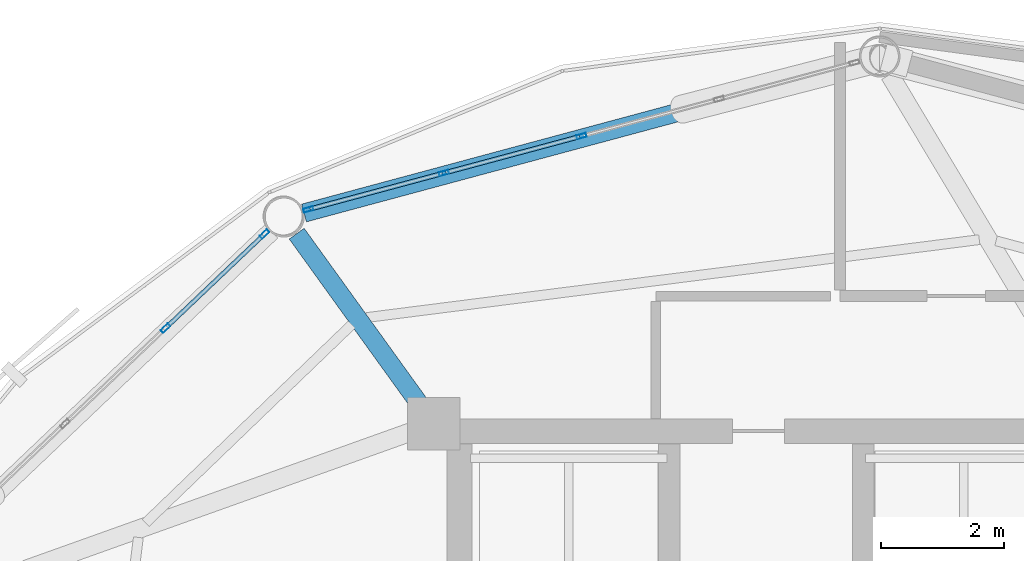
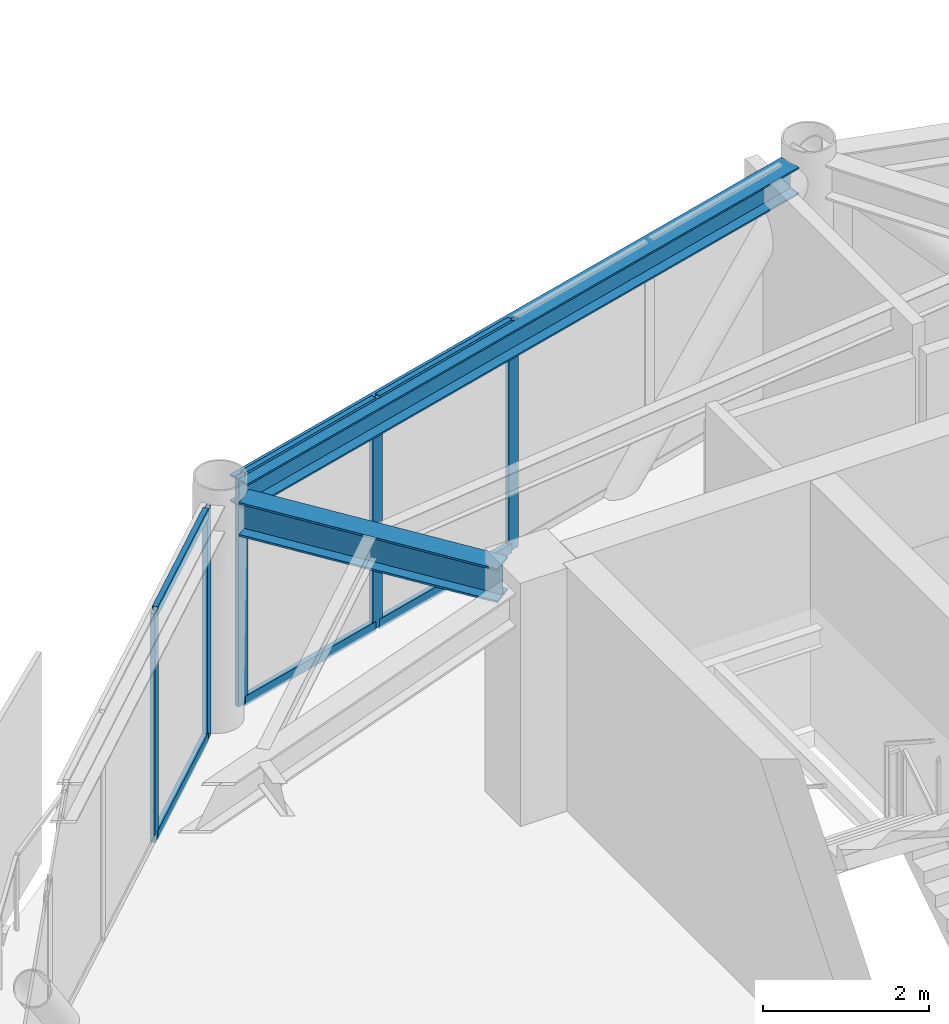
# One storey, part 19 of 29: 11 members, 2 beams, 2 elements without a shape of their own.
"""IFC4 building model written with IfcOpenShell, lengths in metres."""

from ifc_helpers import new_model, si_unit, direction, frame, origin, origin_2d, place, context, subcontext, project, spatial, hollow_rectangle, i_section, extrude, material, layer, layer_set, material_profile, profile_set, type_object, element, aggregate, save


model = new_model("IFC4")

# Units and contexts
model_context = context("Model", 3, precision=1e-05, world=origin(), true_north=direction((0.0, 1.0)))
body_context = subcontext(model_context, "Body", "Model", "MODEL_VIEW")
ifc_project = project(units=[si_unit("LENGTHUNIT", "METRE"), si_unit("AREAUNIT", "SQUARE_METRE"), si_unit("VOLUMEUNIT", "CUBIC_METRE"), si_unit("PLANEANGLEUNIT", "RADIAN"), si_unit("MASSUNIT", "GRAM", prefix="KILO")], contexts=[model_context])

# Site, building, storey
site_placement = place(None, origin())
site = spatial("IfcSite", under=ifc_project, at=site_placement, CompositionType="ELEMENT")
building_placement = place(site_placement, origin())
building = spatial("IfcBuilding", under=site, at=building_placement, Name="Varnakorn Sky Granary", CompositionType="ELEMENT")
storey_placement = place(building_placement, frame((0.0, 0.0, 189.60009765625)))
storey = spatial("IfcBuildingStorey", under=building, at=storey_placement, Name="L47", CompositionType="ELEMENT", Elevation=189.60009765625)

# Beams
ifc_material_1 = material(Name="Steel S355JR", Category="steel")
ifc_material_profile_1 = material_profile(ifc_material_1, i_section(OverallWidth=0.300048828125, OverallDepth=0.5, WebThickness=0.014404296875, FlangeThickness=0.028076171875, at=origin_2d()), Name="HE 500 B")
ifc_profile_set_1 = profile_set([ifc_material_profile_1], Name="Steel S355JR")
beam_type_1 = type_object("IfcBeamType", Name="BM-RAD-Z4", PredefinedType="BEAM", material=ifc_profile_set_1)
beam_1_placement = place(storey_placement, frame((-2.65673828125, 12.948486328125, 3.10986328125), z_axis=(-0.58471515882, 0.81123867206, 0.0), x_axis=(-0.81123867206, -0.58471515882, 0.0)))
element("IfcBeam", 1, at=beam_1_placement, inside=storey, type_object=beam_type_1, Name="Radial Floor Girder RG05 L47", PredefinedType="BEAM", context=body_context, shape_type="SweptSolid", body=[
    extrude(i_section(OverallWidth=0.300048828125, OverallDepth=0.5, WebThickness=0.014404296875, FlangeThickness=0.028076171875, at=origin_2d()), origin(), (0.0, 0.0, 1.0), 3.41552734375),
])
ifc_material_profile_2 = material_profile(ifc_material_1, i_section(OverallWidth=0.300048828125, OverallDepth=0.39990234375, WebThickness=0.013427734375, FlangeThickness=0.02392578125, at=origin_2d()), Name="HE 400 B")
ifc_profile_set_2 = profile_set([ifc_material_profile_2], Name="Steel S355JR")
beam_type_2 = type_object("IfcBeamType", Name="BM-SPD-Z4", PredefinedType="SPANDREL", material=ifc_profile_set_2)
beam_2_placement = place(storey_placement, frame((4.5458984375, 18.499267578125, 3.159912109375), z_axis=(-0.965659367077, -0.259811444662, 0.0), x_axis=(0.259811444662, -0.965659367077, 0.0)))
element("IfcBeam", 2, at=beam_2_placement, inside=storey, type_object=beam_type_2, Name="Perimeter Spandrel Ring Beam RB04 L47", PredefinedType="SPANDREL", context=body_context, shape_type="SweptSolid", body=[
    extrude(i_section(OverallWidth=0.300048828125, OverallDepth=0.39990234375, WebThickness=0.013427734375, FlangeThickness=0.02392578125, at=origin_2d()), origin(), (0.0, 0.0, 1.0), 9.402587890625),
])

# Curtain wall, members
ifc_material_2 = material(Name="Anodised Bronze Aluminium Alloy 6063-T6", Category="aluminium")
ifc_layer = layer(ifc_material_2, 0.169921875, Name="Anodised Bronze Aluminium Alloy 6063-T6")
ifc_layer_set = layer_set([ifc_layer], Name="Anodised Bronze Aluminium Alloy 6063-T6")
curtain_wall_type = type_object("IfcCurtainWallType", Name="CW-LAB-1", PredefinedType="USERDEFINED", material=ifc_layer_set)
curtain_wall_1_placement = place(storey_placement, origin())
curtain_wall_1 = element("IfcCurtainWall", 3, at=curtain_wall_1_placement, inside=storey, type_object=curtain_wall_type, Name="Unitised Curtain Wall CW5 CW-L47-B04", ObjectType="CURTAIN WALL", PredefinedType="USERDEFINED")
ifc_material_profile_3 = material_profile(ifc_material_2, hollow_rectangle(XDim=0.06494140625, YDim=0.159912109375, WallThickness=0.00341796875, at=origin_2d()), Name="ALU MULL 65x160")
ifc_profile_set_3 = profile_set([ifc_material_profile_3], Name="Anodised Bronze Aluminium Alloy 6063-T6")
member_type_1 = type_object("IfcMemberType", Name="CW-LAB-1-MULL", PredefinedType="MULLION", material=ifc_profile_set_3)
member_1_placement = place(storey_placement, frame((-4.4638671875, 16.11376953125, 0.0), z_axis=(0.0, 0.0, 1.0), x_axis=(-0.259358622753, 0.965781085342, 0.0)))
member_1 = element("IfcMember", 4, at=member_1_placement, type_object=member_type_1, Name="CW5 mullion 1", PredefinedType="MULLION", context=body_context, shape_type="SweptSolid", body=[
    extrude(hollow_rectangle(XDim=0.06494140625, YDim=0.159912109375, WallThickness=0.00341796875, at=origin_2d()), origin(), (0.0, 0.0, 1.0), 3.35986328125),
])
member_2_placement = place(storey_placement, frame((-2.253173828125, 16.70751953125, 0.0), z_axis=(0.0, 0.0, 1.0), x_axis=(-0.259358622753, 0.965781085342, 0.0)))
member_2 = element("IfcMember", 5, at=member_2_placement, type_object=member_type_1, Name="CW5 mullion 2", PredefinedType="MULLION", context=body_context, shape_type="SweptSolid", body=[
    extrude(hollow_rectangle(XDim=0.06494140625, YDim=0.159912109375, WallThickness=0.00341796875, at=origin_2d()), origin(), (0.0, 0.0, 1.0), 3.35986328125),
])
member_3_placement = place(storey_placement, frame((-0.010986328125, 17.3095703125, 0.0), z_axis=(0.0, 0.0, 1.0), x_axis=(-0.259358622753, 0.965781085342, 0.0)))
member_3 = element("IfcMember", 6, at=member_3_placement, type_object=member_type_1, Name="CW5 mullion 3", PredefinedType="MULLION", context=body_context, shape_type="SweptSolid", body=[
    extrude(hollow_rectangle(XDim=0.06494140625, YDim=0.159912109375, WallThickness=0.00341796875, at=origin_2d()), origin(), (0.0, 0.0, 1.0), 3.35986328125),
])

curtain_wall_2_placement = place(storey_placement, origin())
curtain_wall_2 = element("IfcCurtainWall", 7, at=curtain_wall_2_placement, inside=storey, type_object=curtain_wall_type, Name="Unitised Curtain Wall CW5 CW-L47-B05", ObjectType="CURTAIN WALL", PredefinedType="USERDEFINED")
member_4_placement = place(storey_placement, frame((-6.79248046875, 14.1787109375, 0.0), z_axis=(0.0, 0.0, 1.0), x_axis=(-0.688905297757, 0.724851357674, 0.0)))
member_4 = element("IfcMember", 8, at=member_4_placement, type_object=member_type_1, Name="CW5 mullion 4", PredefinedType="MULLION", context=body_context, shape_type="SweptSolid", body=[
    extrude(hollow_rectangle(XDim=0.06494140625, YDim=0.159912109375, WallThickness=0.00341796875, at=origin_2d()), origin(), (0.0, 0.0, 1.0), 3.35986328125),
])
member_5_placement = place(storey_placement, frame((-5.17822265625, 15.712890625, 0.0), z_axis=(0.0, 0.0, 1.0), x_axis=(-0.688905297757, 0.724851357674, 0.0)))
member_5 = element("IfcMember", 9, at=member_5_placement, type_object=member_type_1, Name="CW5 mullion 5", PredefinedType="MULLION", context=body_context, shape_type="SweptSolid", body=[
    extrude(hollow_rectangle(XDim=0.06494140625, YDim=0.159912109375, WallThickness=0.00341796875, at=origin_2d()), origin(), (0.0, 0.0, 1.0), 3.35986328125),
])

# Member
ifc_material_profile_4 = material_profile(ifc_material_2, hollow_rectangle(XDim=0.070068359375, YDim=0.139892578125, WallThickness=0.00341796875, at=origin_2d()), Name="ALU TRAN 70x140")
ifc_profile_set_4 = profile_set([ifc_material_profile_4], Name="Anodised Bronze Aluminium Alloy 6063-T6")
member_type_2 = type_object("IfcMemberType", Name="CW-LAB-1-TRAN", PredefinedType="USERDEFINED", material=ifc_profile_set_4)
member_6_placement = place(storey_placement, frame((-4.4326171875, 16.1220703125, 0.034912109375), z_axis=(0.96577982756, 0.259363306344, 0.0), x_axis=(-0.259363306344, 0.96577982756, 0.0)))
member_6 = element("IfcMember", 10, at=member_6_placement, type_object=member_type_2, Name="CW5 transom 1.1", ObjectType="TRANSOM", PredefinedType="USERDEFINED", context=body_context, shape_type="SweptSolid", body=[
    extrude(hollow_rectangle(XDim=0.070068359375, YDim=0.139892578125, WallThickness=0.00341796875, at=origin_2d()), origin(), (0.0, 0.0, 1.0), 2.224365234375),
])

member_7_placement = place(storey_placement, frame((-4.4326171875, 16.1220703125, 3.324951171875), z_axis=(0.96577982756, 0.259363306344, 0.0), x_axis=(-0.259363306344, 0.96577982756, 0.0)))
member_7 = element("IfcMember", 11, at=member_7_placement, type_object=member_type_2, Name="CW5 transom 1.2", ObjectType="TRANSOM", PredefinedType="USERDEFINED", context=body_context, shape_type="SweptSolid", body=[
    extrude(hollow_rectangle(XDim=0.070068359375, YDim=0.139892578125, WallThickness=0.00341796875, at=origin_2d()), origin(), (0.0, 0.0, 1.0), 2.224365234375),
])

member_8_placement = place(storey_placement, frame((-2.2216796875, 16.7158203125, 0.034912109375), z_axis=(0.965782707468, 0.259352582321, 0.0), x_axis=(-0.259352582321, 0.965782707468, 0.0)))
member_8 = element("IfcMember", 12, at=member_8_placement, type_object=member_type_2, Name="CW5 transom 2.1", ObjectType="TRANSOM", PredefinedType="USERDEFINED", context=body_context, shape_type="SweptSolid", body=[
    extrude(hollow_rectangle(XDim=0.070068359375, YDim=0.139892578125, WallThickness=0.00341796875, at=origin_2d()), origin(), (0.0, 0.0, 1.0), 2.25634765625),
])

member_9_placement = place(storey_placement, frame((-2.2216796875, 16.7158203125, 3.324951171875), z_axis=(0.965782707468, 0.259352582321, 0.0), x_axis=(-0.259352582321, 0.965782707468, 0.0)))
member_9 = element("IfcMember", 13, at=member_9_placement, type_object=member_type_2, Name="CW5 transom 2.2", ObjectType="TRANSOM", PredefinedType="USERDEFINED", context=body_context, shape_type="SweptSolid", body=[
    extrude(hollow_rectangle(XDim=0.070068359375, YDim=0.139892578125, WallThickness=0.00341796875, at=origin_2d()), origin(), (0.0, 0.0, 1.0), 2.25634765625),
])

aggregate(curtain_wall_1, [member_1, member_2, member_3, member_6, member_7, member_8, member_9])

member_10_placement = place(storey_placement, frame((-6.76904296875, 14.201171875, 0.034912109375), z_axis=(0.72483307441, 0.688924534503, 0.0), x_axis=(-0.688924534503, 0.72483307441, 0.0)))
member_10 = element("IfcMember", 14, at=member_10_placement, type_object=member_type_2, Name="CW5 transom 4.1", ObjectType="TRANSOM", PredefinedType="USERDEFINED", context=body_context, shape_type="SweptSolid", body=[
    extrude(hollow_rectangle(XDim=0.070068359375, YDim=0.139892578125, WallThickness=0.00341796875, at=origin_2d()), origin(), (0.0, 0.0, 1.0), 2.162109375),
])

member_11_placement = place(storey_placement, frame((-6.76904296875, 14.201171875, 3.324951171875), z_axis=(0.72483307441, 0.688924534503, 0.0), x_axis=(-0.688924534503, 0.72483307441, 0.0)))
member_11 = element("IfcMember", 15, at=member_11_placement, type_object=member_type_2, Name="CW5 transom 4.2", ObjectType="TRANSOM", PredefinedType="USERDEFINED", context=body_context, shape_type="SweptSolid", body=[
    extrude(hollow_rectangle(XDim=0.070068359375, YDim=0.139892578125, WallThickness=0.00341796875, at=origin_2d()), origin(), (0.0, 0.0, 1.0), 2.162109375),
])

aggregate(curtain_wall_2, [member_4, member_5, member_10, member_11])

save(model, "model.ifc")
